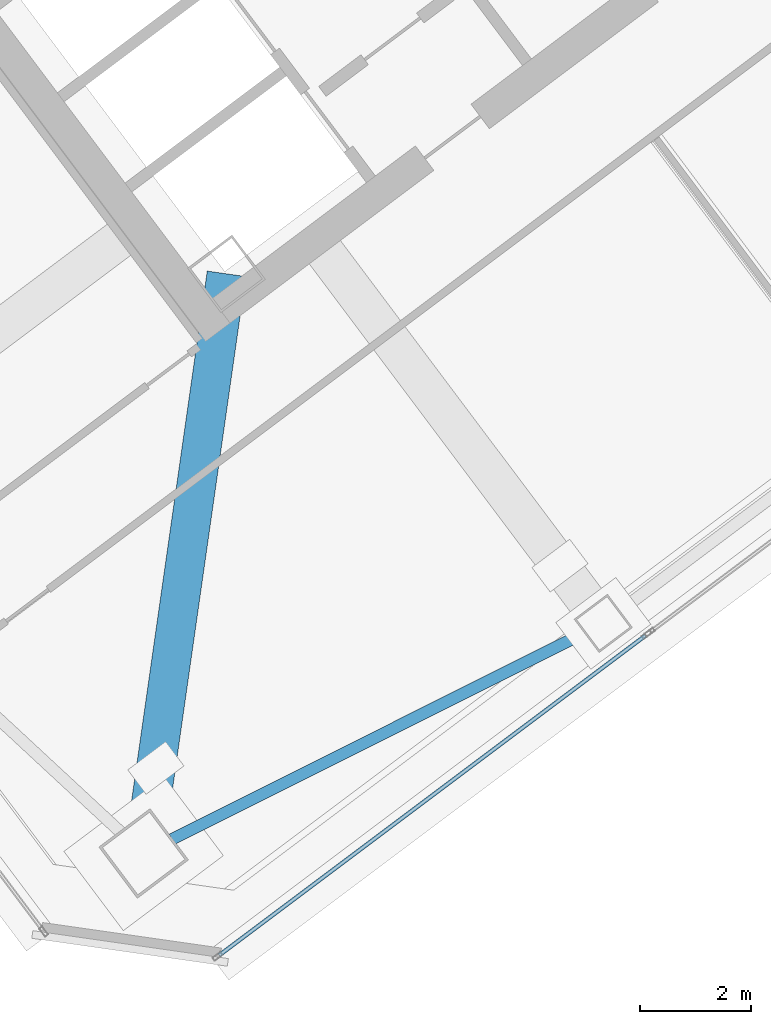
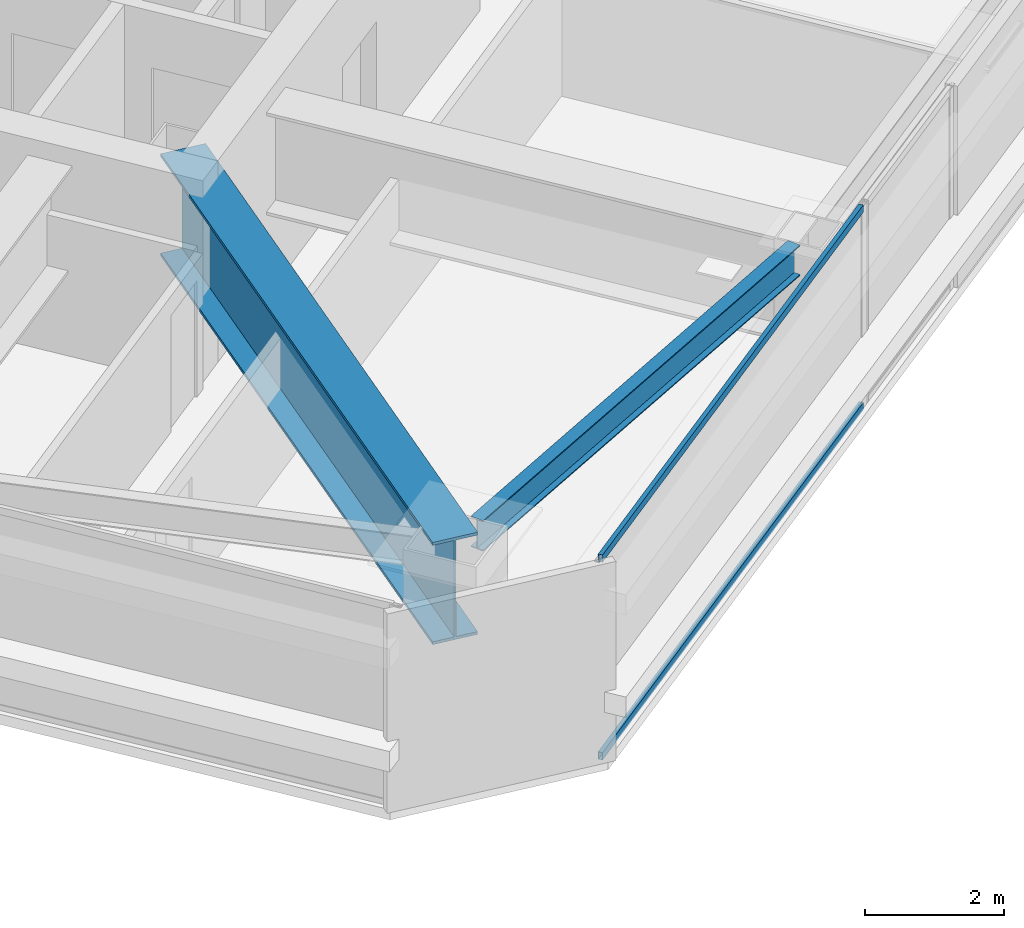
# One storey, part 18 of 42: 2 beams, 2 members, 1 element without a shape of its own.
"""IFC4 building model written with IfcOpenShell, lengths in metres."""

from ifc_helpers import new_model, si_unit, direction, frame, origin, origin_2d, place, context, subcontext, project, spatial, hollow_rectangle, i_section, extrude, material, material_profile, profile_set, type_object, element, aggregate, save


model = new_model("IFC4")

# Units and contexts
model_context = context("Model", 3, precision=1e-05, world=origin(), true_north=direction((0.0, 1.0)))
body_context = subcontext(model_context, "Body", "Model", "MODEL_VIEW")
ifc_project = project(units=[si_unit("LENGTHUNIT", "METRE"), si_unit("AREAUNIT", "SQUARE_METRE"), si_unit("VOLUMEUNIT", "CUBIC_METRE"), si_unit("PLANEANGLEUNIT", "RADIAN"), si_unit("MASSUNIT", "GRAM", prefix="KILO")], contexts=[model_context])

# Site, building, storey
site_placement = place(None, origin())
site = spatial("IfcSite", under=ifc_project, at=site_placement, CompositionType="ELEMENT")
building_placement = place(site_placement, origin())
building = spatial("IfcBuilding", under=site, at=building_placement, Name="Tashvorn Skyway Center", CompositionType="ELEMENT")
storey_placement = place(building_placement, frame((0.0, 0.0, 196.050048828125)))
storey = spatial("IfcBuildingStorey", under=building, at=storey_placement, Name="L53", CompositionType="ELEMENT", Elevation=196.050048828125)

# Beams
ifc_material_1 = material(Name="Steel ASTM A572 Grade 50", Category="steel")
ifc_material_profile_1 = material_profile(ifc_material_1, i_section(OverallWidth=0.699951171875, OverallDepth=1.800048828125, WebThickness=0.031982421875, FlangeThickness=0.050048828125, at=origin_2d()), Name="PG1800x700")
ifc_profile_set_1 = profile_set([ifc_material_profile_1], Name="Steel ASTM A572 Grade 50")
beam_type_1 = type_object("IfcBeamType", Name="BM-BEAM-PG1800x700", PredefinedType="BEAM", material=ifc_profile_set_1)
beam_1_placement = place(storey_placement, frame((111.10009765625, 11.699951171875, 2.349853515625), z_axis=(0.141421356237, 0.989949493661, 0.0), x_axis=(-0.989949493661, 0.141421356237, 0.0)))
element("IfcBeam", 1, at=beam_1_placement, inside=storey, type_object=beam_type_1, Name="Tower 2 L53 Setback Transfer Girder MC-SW", PredefinedType="BEAM", context=body_context, shape_type="SweptSolid", body=[
    extrude(i_section(OverallWidth=0.699951171875, OverallDepth=1.800048828125, WebThickness=0.031982421875, FlangeThickness=0.050048828125, at=origin_2d()), origin(), (0.0, 0.0, 1.0), 10.535888671875),
])
ifc_material_2 = material(Name="Steel ASTM A992 Grade 50", Category="steel")
ifc_material_profile_2 = material_profile(ifc_material_2, i_section(OverallWidth=0.2109375, OverallDepth=0.5390625, WebThickness=0.01171875, FlangeThickness=0.018798828125, at=origin_2d()), Name="W21X73")
ifc_profile_set_2 = profile_set([ifc_material_profile_2], Name="Steel ASTM A992 Grade 50")
beam_type_2 = type_object("IfcBeamType", Name="BM-SPANDREL-W21X73", PredefinedType="SPANDREL", material=ifc_profile_set_2)
beam_2_placement = place(storey_placement, frame((111.609619140625, 11.955078125, 2.98046875), z_axis=(0.894209637559, 0.447648438059, 0.0), x_axis=(-0.447648438059, 0.894209637559, 0.0)))
element("IfcBeam", 2, at=beam_2_placement, inside=storey, type_object=beam_type_2, Name="Tower 2 L53 Spandrel Beam 01", PredefinedType="SPANDREL", context=body_context, shape_type="SweptSolid", body=[
    extrude(i_section(OverallWidth=0.2109375, OverallDepth=0.5390625, WebThickness=0.01171875, FlangeThickness=0.018798828125, at=origin_2d()), origin(), (0.0, 0.0, 1.0), 8.308349609375),
])

# Curtain wall, members
ifc_material_3 = material(Name="Thermally broken bronze-anodized aluminium 6063-T6", Category="aluminium")
curtain_wall_type = type_object("IfcCurtainWallType", Name="CW-CW-Z4", PredefinedType="NOTDEFINED", material=ifc_material_3)
curtain_wall_placement = place(storey_placement, origin())
curtain_wall = element("IfcCurtainWall", 3, at=curtain_wall_placement, inside=storey, type_object=curtain_wall_type, Name="Tower 2 L53 South Unitised Curtain Wall Glazing Group 4", PredefinedType="NOTDEFINED")
ifc_material_profile_3 = material_profile(ifc_material_3, hollow_rectangle(XDim=0.070068359375, YDim=0.1298828125, WallThickness=0.00390625, at=origin_2d()), Name="ALU-TRAN-70x130")
ifc_profile_set_3 = profile_set([ifc_material_profile_3], Name="Thermally broken bronze-anodized aluminium 6063-T6")
member_type = type_object("IfcMemberType", Name="CWT-CW-Z4", PredefinedType="USERDEFINED", material=ifc_profile_set_3)
member_1_placement = place(storey_placement, frame((120.1240234375, 15.617919921875, 0.034912109375), z_axis=(-0.800012232437, -0.599983689738, 0.0), x_axis=(0.599983689738, -0.800012232437, 0.0)))
member_1 = element("IfcMember", 4, at=member_1_placement, type_object=member_type, Name="CW-Z4 transom 1.1", ObjectType="TRANSOM", PredefinedType="USERDEFINED", context=body_context, shape_type="SweptSolid", body=[
    extrude(hollow_rectangle(XDim=0.070068359375, YDim=0.1298828125, WallThickness=0.00390625, at=origin_2d()), origin(), (0.0, 0.0, 1.0), 9.579833984375),
])
member_2_placement = place(storey_placement, frame((120.1240234375, 15.617919921875, 3.514892578125), z_axis=(-0.800012232437, -0.599983689738, 0.0), x_axis=(0.599983689738, -0.800012232437, 0.0)))
member_2 = element("IfcMember", 5, at=member_2_placement, type_object=member_type, Name="CW-Z4 transom 1.2", ObjectType="TRANSOM", PredefinedType="USERDEFINED", context=body_context, shape_type="SweptSolid", body=[
    extrude(hollow_rectangle(XDim=0.070068359375, YDim=0.1298828125, WallThickness=0.00390625, at=origin_2d()), origin(), (0.0, 0.0, 1.0), 9.579833984375),
])
aggregate(curtain_wall, [member_1, member_2])

save(model, "model.ifc")
